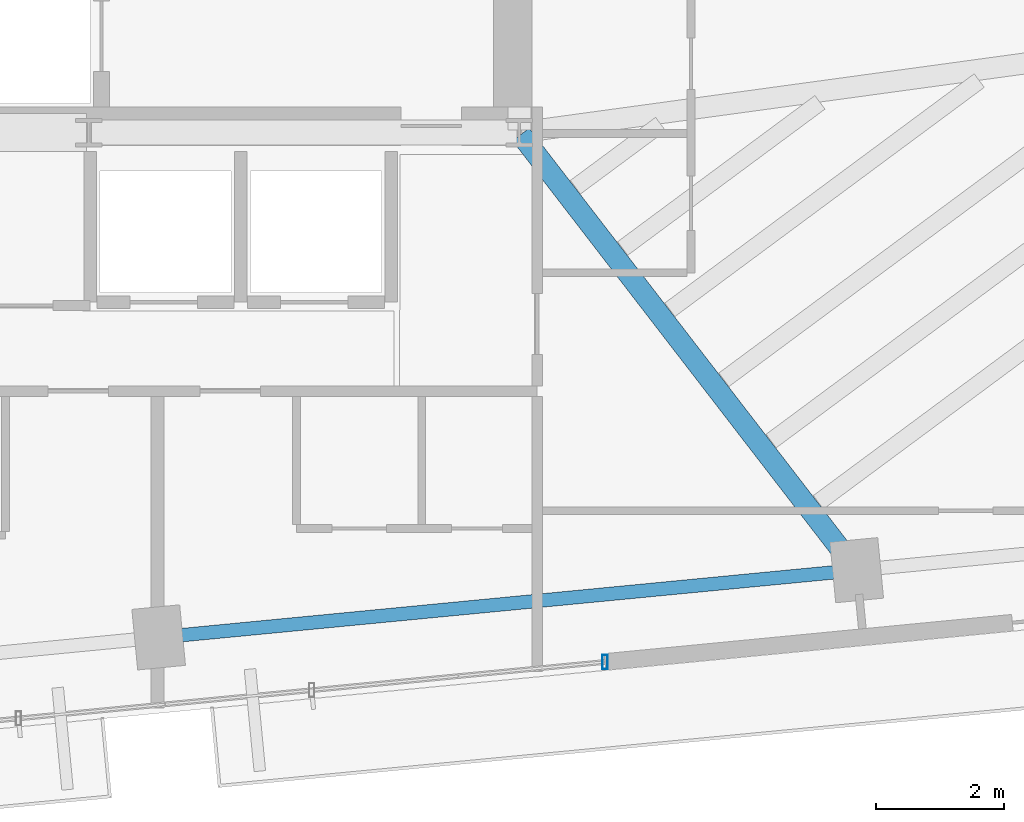
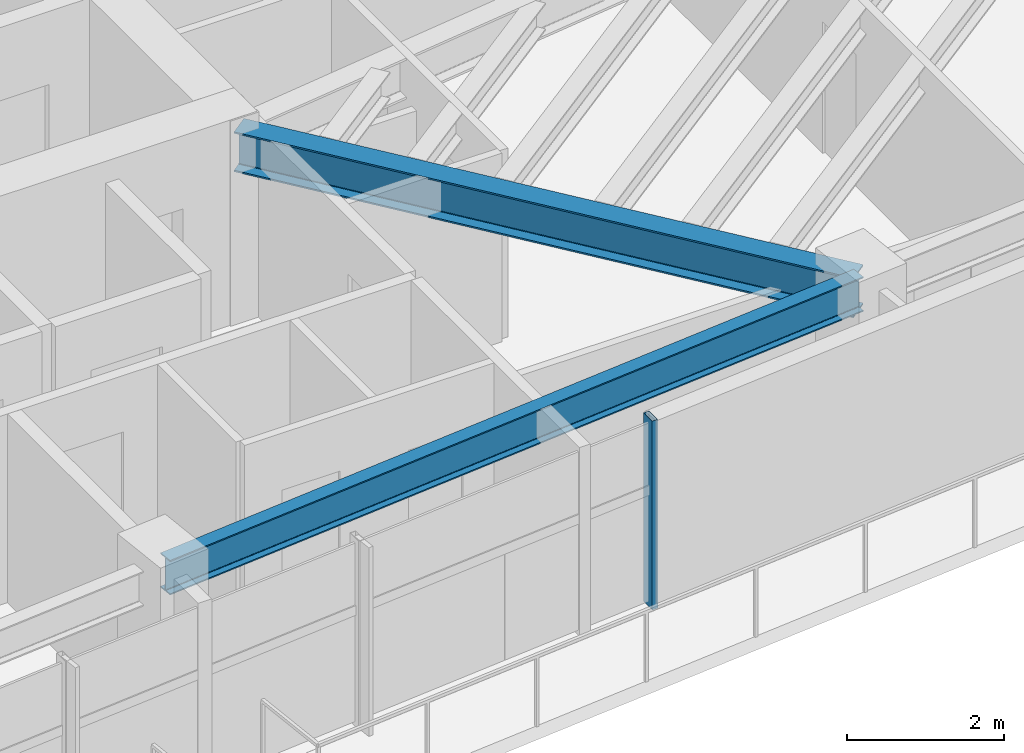
# One storey, part 8 of 18: 2 beams, 1 member, 1 element without a shape of its own.
"""IFC4 building model written with IfcOpenShell, lengths in metres."""

from ifc_helpers import new_model, si_unit, direction, frame, origin, origin_2d, place, context, subcontext, project, spatial, hollow_rectangle, i_section, extrude, source, transform, mapped, material, material_profile, profile_set, type_object, type_shapes, element, aggregate, save


model = new_model("IFC4")

# Units and contexts
model_context = context("Model", 3, precision=1e-05, world=origin(), true_north=direction((0.0, 1.0)))
body_context = subcontext(model_context, "Body", "Model", "MODEL_VIEW")
ifc_project = project(units=[si_unit("LENGTHUNIT", "METRE"), si_unit("AREAUNIT", "SQUARE_METRE"), si_unit("VOLUMEUNIT", "CUBIC_METRE"), si_unit("PLANEANGLEUNIT", "RADIAN"), si_unit("MASSUNIT", "GRAM", prefix="KILO")], contexts=[model_context])

# Site, building, storey
site_placement = place(None, origin())
site = spatial("IfcSite", under=ifc_project, at=site_placement, CompositionType="ELEMENT")
building_placement = place(site_placement, origin())
building = spatial("IfcBuilding", under=site, at=building_placement, Name="Astriad Promenade Condominiums", CompositionType="ELEMENT")
storey_placement = place(building_placement, frame((0.0, 0.0, 195.39990234375)))
storey = spatial("IfcBuildingStorey", under=building, at=storey_placement, Name="L56", CompositionType="ELEMENT", Elevation=195.39990234375)

# Beams
ifc_material_1 = material(Name="Steel ASTM A992 Grade 50", Category="steel")
ifc_material_profile_1 = material_profile(ifc_material_1, i_section(OverallWidth=0.210693359375, OverallDepth=0.53955078125, WebThickness=0.01171875, FlangeThickness=0.018798828125, FilletRadius=0.0166015625, at=origin_2d()), Name="W21X73")
ifc_profile_set_1 = profile_set([ifc_material_profile_1], Name="Steel ASTM A992 Grade 50")
beam_type_1 = type_object("IfcBeamType", Name="STEEL SPANDREL BEAM W21X73", PredefinedType="SPANDREL", material=ifc_profile_set_1)
shared_shape_1 = source(origin(), body_context, "Body", "SweptSolid", [
    extrude(i_section(OverallWidth=0.210693359375, OverallDepth=0.53955078125, WebThickness=0.01171875, FlangeThickness=0.018798828125, FilletRadius=0.0166015625, at=origin_2d()), origin(), (0.0, 0.0, 1.0), 10.8701171875),
])
type_shapes(beam_type_1, [shared_shape_1])
beam_1_placement = place(storey_placement, frame((40.008544921875, 9.520751953125, 2.67041015625), z_axis=(0.995397128983, 0.095836087217, 0.0), x_axis=(-0.095836087217, 0.995397128983, 0.0)))
element("IfcBeam", 1, at=beam_1_placement, inside=storey, type_object=beam_type_1, Name="Perimeter Spandrel Beam SP-S3-L56", PredefinedType="SPANDREL", context=body_context, shape_type="MappedRepresentation", body=[
    mapped(shared_shape_1, transform((0.0, 0.0, 0.0), scale=1.0)),
])
ifc_material_profile_2 = material_profile(ifc_material_1, i_section(OverallWidth=0.326416015625, OverallDepth=0.621826171875, WebThickness=0.015380859375, FlangeThickness=0.0244140625, FilletRadius=0.017822265625, at=origin_2d()), Name="W24X131")
ifc_profile_set_2 = profile_set([ifc_material_profile_2], Name="Steel ASTM A992 Grade 50")
beam_type_2 = type_object("IfcBeamType", Name="STEEL FLOOR GIRDER W24X131", PredefinedType="BEAM", material=ifc_profile_set_2)
shared_shape_2 = source(origin(), body_context, "Body", "SweptSolid", [
    extrude(i_section(OverallWidth=0.326416015625, OverallDepth=0.621826171875, WebThickness=0.015380859375, FlangeThickness=0.0244140625, FilletRadius=0.017822265625, at=origin_2d()), origin(), (0.0, 0.0, 1.0), 8.548583984375),
])
type_shapes(beam_type_2, [shared_shape_2])
beam_2_placement = place(storey_placement, frame((50.843994140625, 10.59814453125, 2.629150390625), z_axis=(-0.610561975536, 0.791968480452, 0.0), x_axis=(-0.791968480452, -0.610561975536, 0.0)))
element("IfcBeam", 2, at=beam_2_placement, inside=storey, type_object=beam_type_2, Name="Primary Floor Girder PG-E2-L56", PredefinedType="BEAM", context=body_context, shape_type="MappedRepresentation", body=[
    mapped(shared_shape_2, transform((0.0, 0.0, 0.0), scale=1.0)),
])

# Curtain wall, member
ifc_material_2 = material(Name="Anodised aluminium Black Dark Glass Unitised", Category="aluminium")
curtain_wall_type = type_object("IfcCurtainWallType", Name="CW-B34-DARK", PredefinedType="USERDEFINED", material=ifc_material_2)
curtain_wall_placement = place(storey_placement, origin())
curtain_wall = element("IfcCurtainWall", 3, at=curtain_wall_placement, inside=storey, type_object=curtain_wall_type, Name="CW-L56-S", ObjectType="UNITISED_CURTAIN_WALL", PredefinedType="USERDEFINED")
ifc_material_3 = material(Name="Anodised aluminium 6063-T6 Black", Category="aluminium")
ifc_material_profile_3 = material_profile(ifc_material_3, hollow_rectangle(XDim=0.0849609375, YDim=0.219970703125, WallThickness=0.0048828125, at=origin_2d()), Name="ALU-MUL-85X220")
ifc_profile_set_3 = profile_set([ifc_material_profile_3], Name="Anodised aluminium 6063-T6 Black")
member_type = type_object("IfcMemberType", Name="MUL-ALU-MUL-85X220", PredefinedType="MULLION", material=ifc_profile_set_3)
shared_shape_3 = source(origin(), body_context, "Body", "SweptSolid", [
    extrude(hollow_rectangle(XDim=0.0849609375, YDim=0.219970703125, WallThickness=0.0048828125, at=origin_2d()), origin(), (0.0, 0.0, 1.0), 2.940185546875),
])
type_shapes(member_type, [shared_shape_3])
member_placement = place(storey_placement, frame((46.9375, 9.133056640625, 0.0), z_axis=(0.0, 0.0, 1.0), x_axis=(1.0, 0.0, 0.0)))
member = element("IfcMember", 4, at=member_placement, type_object=member_type, Name="CW-L56-S-MUL-00", PredefinedType="MULLION", context=body_context, shape_type="MappedRepresentation", body=[
    mapped(shared_shape_3, transform((0.0, 0.0, 0.0), scale=1.0)),
])
aggregate(curtain_wall, [member])

save(model, "model.ifc")
